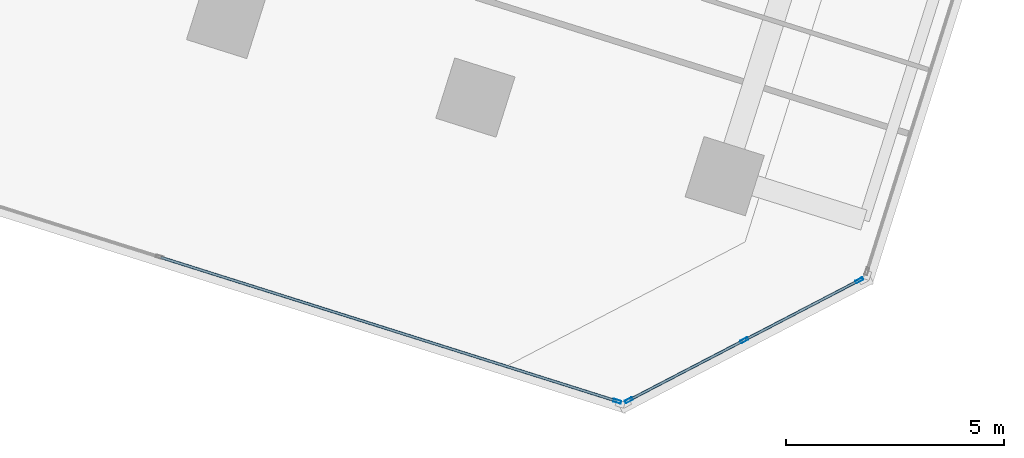
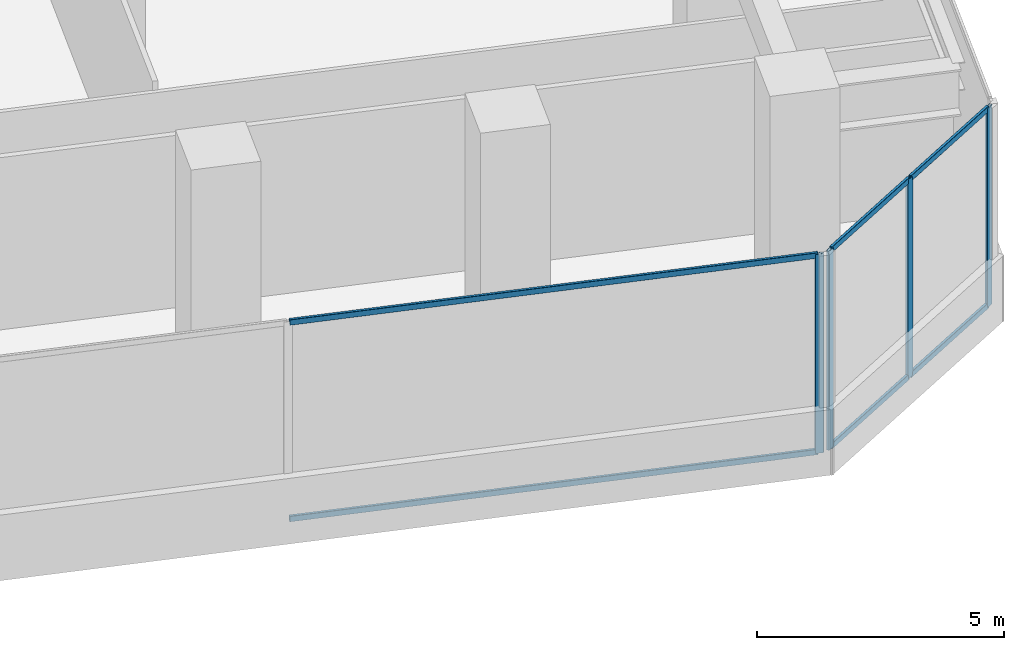
# One storey, part 8 of 28: 10 members, 2 elements without a shape of their own.
"""IFC4 building model written with IfcOpenShell, lengths in metres."""

from ifc_helpers import new_model, si_unit, direction, frame, origin, origin_2d, place, context, subcontext, project, spatial, hollow_rectangle, extrude, source, transform, mapped, material, material_profile, profile_set, type_object, element, aggregate, save


model = new_model("IFC4")

# Units and contexts
model_context = context("Model", 3, precision=1e-05, world=origin(), true_north=direction((0.0, 1.0)))
body_context = subcontext(model_context, "Body", "Model", "MODEL_VIEW")
ifc_project = project(units=[si_unit("LENGTHUNIT", "METRE"), si_unit("AREAUNIT", "SQUARE_METRE"), si_unit("VOLUMEUNIT", "CUBIC_METRE"), si_unit("PLANEANGLEUNIT", "RADIAN"), si_unit("MASSUNIT", "GRAM", prefix="KILO")], contexts=[model_context])

# Site, building, storey
site_placement = place(None, origin())
site = spatial("IfcSite", under=ifc_project, at=site_placement, CompositionType="ELEMENT")
building_placement = place(site_placement, origin())
building = spatial("IfcBuilding", under=site, at=building_placement, Name="Torre Montelarca", CompositionType="ELEMENT")
storey_placement = place(building_placement, frame((0.0, 0.0, 116.800048828125)))
storey = spatial("IfcBuildingStorey", under=building, at=storey_placement, Name="L26", CompositionType="ELEMENT", Elevation=116.800048828125)

# Curtain wall, members
ifc_material_1 = material(Name="Insulated low-E laminated glass", Category="glass")
curtain_wall_type = type_object("IfcCurtainWallType", Name="CW-SYS-Z1", PredefinedType="USERDEFINED", material=ifc_material_1)
curtain_wall_1_placement = place(storey_placement, origin())
curtain_wall_1 = element("IfcCurtainWall", 1, at=curtain_wall_1_placement, inside=storey, type_object=curtain_wall_type, Name="L26 Curtain Wall Run CW-T3-L26-E04-B1", ObjectType="UNITISED GLAZING", PredefinedType="USERDEFINED")
ifc_material_2 = material(Name="Anodised aluminium AA 6063-T6", Category="aluminium")
ifc_material_profile_1 = material_profile(ifc_material_2, hollow_rectangle(XDim=0.06494140625, YDim=0.139892578125, WallThickness=0.00390625, InnerFilletRadius=0.00390625, OuterFilletRadius=0.008056640625, at=origin_2d()), Name="ALU65X140X4", Category="aluminium")
ifc_profile_set_1 = profile_set([ifc_material_profile_1], Name="Anodised aluminium AA 6063-T6")
member_type_1 = type_object("IfcMemberType", Name="CWT-ALU140", PredefinedType="USERDEFINED", material=ifc_profile_set_1)
shared_shape_1 = source(origin(), body_context, "Body", "SweptSolid", [
    extrude(hollow_rectangle(XDim=0.06494140625, YDim=0.139892578125, WallThickness=0.00390625, InnerFilletRadius=0.00390625, OuterFilletRadius=0.008056640625, at=origin_2d()), origin(), (0.0, 0.0, 1.0), 10.948486328125),
])
member_1_placement = place(storey_placement, frame((42.873291015625, 10.927734375, 0.032470703125), z_axis=(0.953717039651, -0.300705517541, 0.0), x_axis=(0.300705517541, 0.953717039651, 0.0)))
member_1 = element("IfcMember", 2, at=member_1_placement, type_object=member_type_1, Name="CW transom 2.1", ObjectType="TRANSOM", PredefinedType="USERDEFINED", context=body_context, shape_type="MappedRepresentation", body=[
    mapped(shared_shape_1, transform((0.0, 0.0, 0.0), scale=1.0)),
])
member_2_placement = place(storey_placement, frame((42.873291015625, 10.927734375, 4.887451171875), z_axis=(0.953717039651, -0.300705517541, 0.0), x_axis=(0.300705517541, 0.953717039651, 0.0)))
member_2 = element("IfcMember", 3, at=member_2_placement, type_object=member_type_1, Name="CW transom 2.2", ObjectType="TRANSOM", PredefinedType="USERDEFINED", context=body_context, shape_type="MappedRepresentation", body=[
    mapped(shared_shape_1, transform((0.0, 0.0, 0.0), scale=1.0)),
])

curtain_wall_2_placement = place(storey_placement, origin())
curtain_wall_2 = element("IfcCurtainWall", 4, at=curtain_wall_2_placement, inside=storey, type_object=curtain_wall_type, Name="L26 Curtain Wall Run CW-T3-L26-E05-B1", ObjectType="UNITISED GLAZING", PredefinedType="USERDEFINED")
shared_shape_2 = source(origin(), body_context, "Body", "SweptSolid", [
    extrude(hollow_rectangle(XDim=0.06494140625, YDim=0.139892578125, WallThickness=0.00390625, InnerFilletRadius=0.00390625, OuterFilletRadius=0.008056640625, at=origin_2d()), origin(), (0.0, 0.0, 1.0), 2.918701171875),
])
member_3_placement = place(storey_placement, frame((53.640869140625, 7.663818359375, 0.032470703125), z_axis=(0.887014019534, 0.461742492251, 0.0), x_axis=(-0.461742492251, 0.887014019534, 0.0)))
member_3 = element("IfcMember", 5, at=member_3_placement, type_object=member_type_1, Name="CW transom 1.1", ObjectType="TRANSOM", PredefinedType="USERDEFINED", context=body_context, shape_type="MappedRepresentation", body=[
    mapped(shared_shape_2, transform((0.0, 0.0, 0.0), scale=1.0)),
])
member_4_placement = place(storey_placement, frame((53.640869140625, 7.663818359375, 4.887451171875), z_axis=(0.887014019534, 0.461742492251, 0.0), x_axis=(-0.461742492251, 0.887014019534, 0.0)))
member_4 = element("IfcMember", 6, at=member_4_placement, type_object=member_type_1, Name="CW transom 1.2", ObjectType="TRANSOM", PredefinedType="USERDEFINED", context=body_context, shape_type="MappedRepresentation", body=[
    mapped(shared_shape_2, transform((0.0, 0.0, 0.0), scale=1.0)),
])
member_5_placement = place(storey_placement, frame((56.287353515625, 9.04150390625, 0.032470703125), z_axis=(0.887014019534, 0.461742492251, 0.0), x_axis=(-0.461742492251, 0.887014019534, 0.0)))
member_5 = element("IfcMember", 7, at=member_5_placement, type_object=member_type_1, Name="CW transom 2.1", ObjectType="TRANSOM", PredefinedType="USERDEFINED", context=body_context, shape_type="MappedRepresentation", body=[
    mapped(shared_shape_2, transform((0.0, 0.0, 0.0), scale=1.0)),
])
member_6_placement = place(storey_placement, frame((56.287353515625, 9.04150390625, 4.887451171875), z_axis=(0.887014019534, 0.461742492251, 0.0), x_axis=(-0.461742492251, 0.887014019534, 0.0)))
member_6 = element("IfcMember", 8, at=member_6_placement, type_object=member_type_1, Name="CW transom 2.2", ObjectType="TRANSOM", PredefinedType="USERDEFINED", context=body_context, shape_type="MappedRepresentation", body=[
    mapped(shared_shape_2, transform((0.0, 0.0, 0.0), scale=1.0)),
])

# Member
ifc_material_profile_2 = material_profile(ifc_material_2, hollow_rectangle(XDim=0.06494140625, YDim=0.179931640625, WallThickness=0.00390625, InnerFilletRadius=0.00390625, OuterFilletRadius=0.008056640625, at=origin_2d()), Name="ALU65X180X4", Category="aluminium")
ifc_profile_set_2 = profile_set([ifc_material_profile_2], Name="Anodised aluminium AA 6063-T6")
member_type_2 = type_object("IfcMemberType", Name="CWM-ALU180", PredefinedType="MULLION", material=ifc_profile_set_2)
shared_shape_3 = source(origin(), body_context, "Body", "SweptSolid", [
    extrude(hollow_rectangle(XDim=0.06494140625, YDim=0.179931640625, WallThickness=0.00390625, InnerFilletRadius=0.00390625, OuterFilletRadius=0.008056640625, at=origin_2d()), origin(), (0.0, 0.0, 1.0), 4.919921875),
])
member_7_placement = place(storey_placement, frame((53.345947265625, 7.625732421875, 0.0), z_axis=(0.0, 0.0, 1.0), x_axis=(0.300700885116, 0.953718500235, 0.0)))
member_7 = element("IfcMember", 9, at=member_7_placement, type_object=member_type_2, Name="CW mullion 3", PredefinedType="MULLION", context=body_context, shape_type="MappedRepresentation", body=[
    mapped(shared_shape_3, transform((0.0, 0.0, 0.0), scale=1.0)),
])

aggregate(curtain_wall_1, [member_7, member_1, member_2])

member_8_placement = place(storey_placement, frame((53.61181640625, 7.64892578125, 0.0), z_axis=(0.0, 0.0, 1.0), x_axis=(-0.461729026109, 0.887021029316, 0.0)))
member_8 = element("IfcMember", 10, at=member_8_placement, type_object=member_type_2, Name="CW mullion 1", PredefinedType="MULLION", context=body_context, shape_type="MappedRepresentation", body=[
    mapped(shared_shape_3, transform((0.0, 0.0, 0.0), scale=1.0)),
])

member_9_placement = place(storey_placement, frame((56.258544921875, 9.026611328125, 0.0), z_axis=(0.0, 0.0, 1.0), x_axis=(-0.461729026109, 0.887021029316, 0.0)))
member_9 = element("IfcMember", 11, at=member_9_placement, type_object=member_type_2, Name="CW mullion 2", PredefinedType="MULLION", context=body_context, shape_type="MappedRepresentation", body=[
    mapped(shared_shape_3, transform((0.0, 0.0, 0.0), scale=1.0)),
])

member_10_placement = place(storey_placement, frame((58.905029296875, 10.404296875, 0.0), z_axis=(0.0, 0.0, 1.0), x_axis=(-0.461729026109, 0.887021029316, 0.0)))
member_10 = element("IfcMember", 12, at=member_10_placement, type_object=member_type_2, Name="CW mullion 3", PredefinedType="MULLION", context=body_context, shape_type="MappedRepresentation", body=[
    mapped(shared_shape_3, transform((0.0, 0.0, 0.0), scale=1.0)),
])

aggregate(curtain_wall_2, [member_8, member_9, member_10, member_3, member_4, member_5, member_6])

save(model, "model.ifc")
